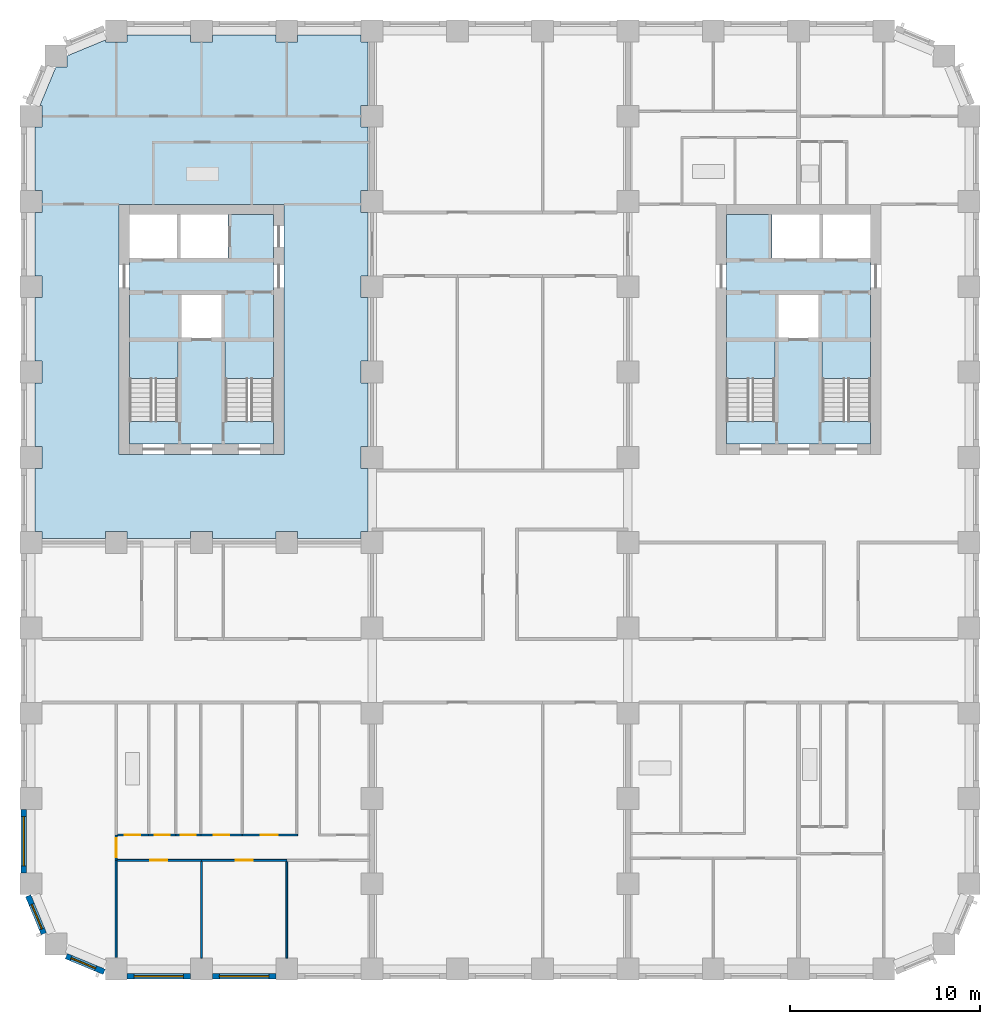
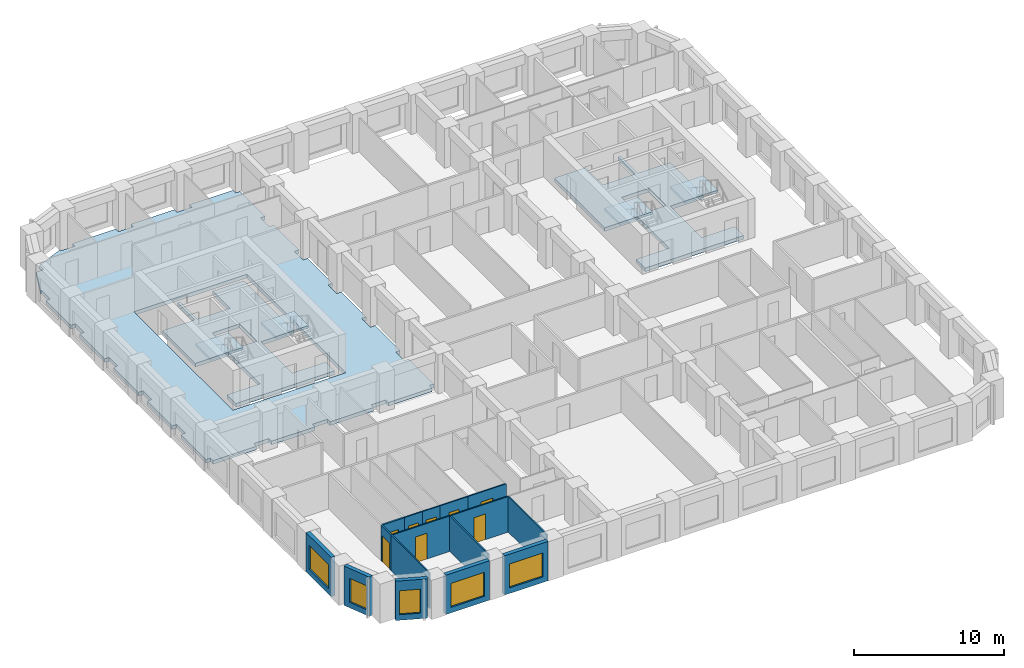
# One storey, part 2 of 13: 16 walls, 8 doors, 7 slabs, 5 windows, 13 openings, 4 elements without a shape of their own.
"""IFC4 building model written with IfcOpenShell, lengths in metres."""

from ifc_helpers import new_model, si_unit, direction, frame, frame_2d, origin, place, context, subcontext, project, spatial, polyline, rectangle, outline, extrude, material, layer, layer_set, type_object, element, fill, aggregate, save


model = new_model("IFC4")

# Units and contexts
model_context = context("Model", 3, precision=1e-05, world=origin(), true_north=direction((0.0, 1.0)))
body_context = subcontext(model_context, "Body", "Model", "MODEL_VIEW")
ifc_project = project(units=[si_unit("LENGTHUNIT", "METRE"), si_unit("AREAUNIT", "SQUARE_METRE"), si_unit("VOLUMEUNIT", "CUBIC_METRE"), si_unit("PLANEANGLEUNIT", "RADIAN"), si_unit("MASSUNIT", "GRAM", prefix="KILO")], contexts=[model_context])

# Site, building, storey
site_placement = place(None, origin())
site = spatial("IfcSite", under=ifc_project, at=site_placement, CompositionType="ELEMENT")
building_placement = place(site_placement, origin())
building = spatial("IfcBuilding", under=site, at=building_placement, Name="Girih Gate Residences", CompositionType="ELEMENT")
storey_placement = place(building_placement, frame((0.0, 0.0, 105.60009765625)))
storey = spatial("IfcBuildingStorey", under=building, at=storey_placement, Name="L29", CompositionType="ELEMENT", Elevation=105.60009765625)

# Slabs
ifc_material_1 = material(Name="Concrete C40/50", Category="concrete")
ifc_layer_1 = layer(ifc_material_1, 0.300048828125)
ifc_layer_set_1 = layer_set([ifc_layer_1], Name="Core floor slab 300")
slab_type_1 = type_object("IfcSlabType", Name="Core floor slab 300", PredefinedType="FLOOR", material=ifc_layer_set_1)
slab_1_placement = place(storey_placement, frame((0.0, 0.0, -0.300048828125)))
element("IfcSlab", 1, at=slab_1_placement, inside=storey, type_object=slab_type_1, Name="L29 W core floor", PredefinedType="FLOOR", context=body_context, shape_type="SweptSolid", body=[
    extrude(outline(polyline([(12.800048828125, 27.699951171875), (5.199951171875, 27.699951171875), (5.199951171875, 28.900634765625), (7.75, 28.900634765625), (7.75, 33.10009765625), (5.199951171875, 33.10009765625), (5.199951171875, 37.5), (7.699951171875, 37.5), (7.699951171875, 39.800048828125), (7.89990234375, 39.800048828125), (7.89990234375, 37.5), (10.39990234375, 37.5), (10.39990234375, 39.800048828125), (12.800048828125, 39.800048828125), (12.800048828125, 33.10009765625), (10.25, 33.10009765625), (10.25, 28.900634765625), (12.800048828125, 28.900634765625), (12.800048828125, 27.699951171875)]), holes=[polyline([(7.949951171875, 33.300048828125), (10.050048828125, 33.300048828125), (10.050048828125, 35.60009765625), (7.949951171875, 35.60009765625), (7.949951171875, 33.300048828125)])]), origin(), (0.0, 0.0, 1.0), 0.300048828125),
])
slab_2_placement = place(storey_placement, frame((0.0, 0.0, -0.300048828125)))
element("IfcSlab", 2, at=slab_2_placement, inside=storey, type_object=slab_type_1, Name="L29 E core floor", PredefinedType="FLOOR", context=body_context, shape_type="SweptSolid", body=[
    extrude(outline(polyline([(44.300048828125, 27.699951171875), (36.699951171875, 27.699951171875), (36.699951171875, 28.900634765625), (39.25, 28.900634765625), (39.25, 33.10009765625), (36.699951171875, 33.10009765625), (36.699951171875, 39.800048828125), (39.10009765625, 39.800048828125), (39.10009765625, 37.5), (41.60009765625, 37.5), (41.60009765625, 39.800048828125), (41.800048828125, 39.800048828125), (41.800048828125, 37.5), (44.300048828125, 37.5), (44.300048828125, 33.10009765625), (41.75, 33.10009765625), (41.75, 28.900634765625), (44.300048828125, 28.900634765625), (44.300048828125, 27.699951171875)]), holes=[polyline([(39.449951171875, 33.300048828125), (41.550048828125, 33.300048828125), (41.550048828125, 35.60009765625), (39.449951171875, 35.60009765625), (39.449951171875, 33.300048828125)])]), origin(), (0.0, 0.0, 1.0), 0.300048828125),
])
ifc_layer_2 = layer(ifc_material_1, 0.300048828125)
ifc_layer_set_2 = layer_set([ifc_layer_2], Name="Floor slab PT 300 Concrete C40/50")
slab_type_2 = type_object("IfcSlabType", Name="Floor slab PT 300 Concrete C40/50", PredefinedType="FLOOR", material=ifc_layer_set_2)
slab_3_placement = place(storey_placement, frame((0.0, 0.0, -0.300048828125)))
element("IfcSlab", 3, at=slab_3_placement, inside=storey, type_object=slab_type_2, Name="Floor slab L29 3", PredefinedType="FLOOR", context=body_context, shape_type="SweptSolid", body=[
    extrude(outline(polyline([(0.22509765625, 26.425048828125), (0.22509765625, 23.074951171875), (0.574951171875, 23.074951171875), (0.574951171875, 22.72509765625), (3.925048828125, 22.72509765625), (3.925048828125, 23.074951171875), (5.074951171875, 23.074951171875), (5.074951171875, 22.72509765625), (8.425048828125, 22.72509765625), (8.425048828125, 23.074951171875), (9.574951171875, 23.074951171875), (9.574951171875, 22.72509765625), (12.925048828125, 22.72509765625), (12.925048828125, 23.074951171875), (14.074951171875, 23.074951171875), (14.074951171875, 22.72509765625), (17.425048828125, 22.72509765625), (17.425048828125, 23.074951171875), (17.77490234375, 23.074951171875), (17.77490234375, 26.425048828125), (17.425048828125, 26.425048828125), (17.425048828125, 27.574951171875), (17.77490234375, 27.574951171875), (17.77490234375, 30.925048828125), (17.425048828125, 30.925048828125), (17.425048828125, 32.074951171875), (17.77490234375, 32.074951171875), (17.77490234375, 35.425048828125), (17.425048828125, 35.425048828125), (17.425048828125, 36.574951171875), (17.77490234375, 36.574951171875), (17.77490234375, 39.925048828125), (17.425048828125, 39.925048828125), (17.425048828125, 41.074951171875), (17.77490234375, 41.074951171875), (17.77490234375, 44.425048828125), (17.425048828125, 44.425048828125), (17.425048828125, 45.574951171875), (17.77490234375, 45.574951171875), (17.77490234375, 48.925048828125), (17.425048828125, 48.925048828125), (17.425048828125, 49.27490234375), (14.074951171875, 49.27490234375), (14.074951171875, 48.925048828125), (12.925048828125, 48.925048828125), (12.925048828125, 49.27490234375), (9.574951171875, 49.27490234375), (9.574951171875, 48.925048828125), (8.425048828125, 48.925048828125), (8.425048828125, 49.27490234375), (5.074951171875, 49.27490234375), (5.074951171875, 48.925048828125), (3.925048828125, 48.925048828125), (3.925048828125, 49.018310546875), (1.89306640625, 48.176513671875), (1.89306640625, 47.60693359375), (1.323486328125, 47.60693359375), (0.481689453125, 45.574951171875), (0.574951171875, 45.574951171875), (0.574951171875, 44.425048828125), (0.22509765625, 44.425048828125), (0.22509765625, 41.074951171875), (0.574951171875, 41.074951171875), (0.574951171875, 39.925048828125), (0.22509765625, 39.925048828125), (0.22509765625, 36.574951171875), (0.574951171875, 36.574951171875), (0.574951171875, 35.425048828125), (0.22509765625, 35.425048828125), (0.22509765625, 32.074951171875), (0.574951171875, 32.074951171875), (0.574951171875, 30.925048828125), (0.22509765625, 30.925048828125), (0.22509765625, 27.574951171875), (0.574951171875, 27.574951171875), (0.574951171875, 26.425048828125), (0.22509765625, 26.425048828125)]), holes=[polyline([(13.35009765625, 40.35009765625), (13.35009765625, 27.14990234375), (4.64990234375, 27.14990234375), (4.64990234375, 40.35009765625), (13.35009765625, 40.35009765625)])]), origin(), (0.0, 0.0, 1.0), 0.300048828125),
])

# Stair, slab
stair_type = type_object("IfcStairType", Name="Exit stair", PredefinedType="HALF_TURN_STAIR", material=ifc_material_1)
stair_1_placement = place(storey_placement, origin())
stair_1 = element("IfcStair", 4, at=stair_1_placement, inside=storey, type_object=stair_type, Name="L29 Exit Stair ST-W1", PredefinedType="HALF_TURN_STAIR")
ifc_layer_3 = layer(ifc_material_1, 0.199951171875)
ifc_layer_set_3 = layer_set([ifc_layer_3], Name="Stair landing 200")
slab_type_3 = type_object("IfcSlabType", Name="Stair landing 200", PredefinedType="LANDING", material=ifc_layer_set_3)
slab_4_placement = place(storey_placement, frame((0.0, 0.0, 1.39990234375)))
slab_4 = element("IfcSlab", 5, at=slab_4_placement, type_object=slab_type_3, Name="ST-W1 landing 1", PredefinedType="LANDING", context=body_context, shape_type="SweptSolid", body=[
    extrude(outline(polyline([(7.75, 31.14990234375), (7.75, 33.10009765625), (5.199951171875, 33.10009765625), (5.199951171875, 31.14990234375), (7.75, 31.14990234375)])), origin(), (0.0, 0.0, 1.0), 0.199951171875),
])
aggregate(stair_1, [slab_4])

stair_2_placement = place(storey_placement, origin())
stair_2 = element("IfcStair", 6, at=stair_2_placement, inside=storey, type_object=stair_type, Name="L29 Exit Stair ST-W2", PredefinedType="HALF_TURN_STAIR")
slab_5_placement = place(storey_placement, frame((0.0, 0.0, 1.39990234375)))
slab_5 = element("IfcSlab", 7, at=slab_5_placement, type_object=slab_type_3, Name="ST-W2 landing 1", PredefinedType="LANDING", context=body_context, shape_type="SweptSolid", body=[
    extrude(outline(polyline([(12.800048828125, 31.14990234375), (12.800048828125, 33.10009765625), (10.25, 33.10009765625), (10.25, 31.14990234375), (12.800048828125, 31.14990234375)])), origin(), (0.0, 0.0, 1.0), 0.199951171875),
])
aggregate(stair_2, [slab_5])

stair_3_placement = place(storey_placement, origin())
stair_3 = element("IfcStair", 8, at=stair_3_placement, inside=storey, type_object=stair_type, Name="L29 Exit Stair ST-E1", PredefinedType="HALF_TURN_STAIR")
slab_6_placement = place(storey_placement, frame((0.0, 0.0, 1.39990234375)))
slab_6 = element("IfcSlab", 9, at=slab_6_placement, type_object=slab_type_3, Name="ST-E1 landing 1", PredefinedType="LANDING", context=body_context, shape_type="SweptSolid", body=[
    extrude(outline(polyline([(44.300048828125, 31.14990234375), (44.300048828125, 33.10009765625), (41.75, 33.10009765625), (41.75, 31.14990234375), (44.300048828125, 31.14990234375)])), origin(), (0.0, 0.0, 1.0), 0.199951171875),
])
aggregate(stair_3, [slab_6])

stair_4_placement = place(storey_placement, origin())
stair_4 = element("IfcStair", 10, at=stair_4_placement, inside=storey, type_object=stair_type, Name="L29 Exit Stair ST-E2", PredefinedType="HALF_TURN_STAIR")
slab_7_placement = place(storey_placement, frame((0.0, 0.0, 1.39990234375)))
slab_7 = element("IfcSlab", 11, at=slab_7_placement, type_object=slab_type_3, Name="ST-E2 landing 1", PredefinedType="LANDING", context=body_context, shape_type="SweptSolid", body=[
    extrude(outline(polyline([(39.25, 31.14990234375), (39.25, 33.10009765625), (36.699951171875, 33.10009765625), (36.699951171875, 31.14990234375), (39.25, 31.14990234375)])), origin(), (0.0, 0.0, 1.0), 0.199951171875),
])
aggregate(stair_4, [slab_7])

# Wall
ifc_material_2 = material(Name="Gypsum board on steel studs", Category="steel")
ifc_layer_4 = layer(ifc_material_2, 0.10009765625)
ifc_layer_set_4 = layer_set([ifc_layer_4], Name="Partition 100 mm")
wall_type_1 = type_object("IfcWallType", Name="Partition 100 mm", PredefinedType="PARTITIONING", material=ifc_layer_set_4)
wall_1_placement = place(storey_placement, frame((9.0, 0.574951171875, 0.0), z_axis=(0.0, 0.0, 1.0), x_axis=(0.0, 1.0, 0.0)))
element("IfcWall", 12, at=wall_1_placement, inside=storey, type_object=wall_type_1, Name="L29 partition", PredefinedType="PARTITIONING", context=body_context, shape_type="SweptSolid", body=[
    extrude(rectangle(XDim=5.110107421875, YDim=0.10009765625, at=frame_2d((2.55517578125, 0.0))), origin(), (0.0, 0.0, 1.0), 2.89990234375),
])

# Wall, opening, door
wall_2_placement = place(storey_placement, frame((9.0, 5.735107421875, 0.0), z_axis=(0.0, 0.0, 1.0), x_axis=(-1.0, 0.0, 0.0)))
wall_2 = element("IfcWall", 13, at=wall_2_placement, inside=storey, type_object=wall_type_1, Name="L29 partition", PredefinedType="PARTITIONING", context=body_context, shape_type="SweptSolid", body=[
    extrude(rectangle(XDim=4.449951171875, YDim=0.10009765625, at=frame_2d((2.22509765625, 0.0))), origin(), (0.0, 0.0, 1.0), 2.89990234375),
])
opening_1_placement = place(wall_2_placement, frame((1.800048828125, 0.0, 0.0)))
opening_1 = element("IfcOpeningElement", 14, at=opening_1_placement, cuts=wall_2, Name="Opening A29-002", PredefinedType="OPENING", context=body_context, shape_type="SweptSolid", body=[
    extrude(rectangle(XDim=0.89990234375, YDim=2.10009765625, at=frame_2d((0.449951171875, 1.050048828125))), frame((0.0, 0.06005859375, 0.0), z_axis=(0.0, -1.0, 0.0), x_axis=(1.0, 0.0, 0.0)), (0.0, 0.0, 1.0), 0.1201171875),
])
ifc_material_3 = material(Name="Timber", Category="wood")
door_type_1 = type_object("IfcDoorType", Name="Bedroom door 900x2100", OperationType="NOTDEFINED", PredefinedType="DOOR", material=ifc_material_3)
door_1_placement = place(opening_1_placement, origin())
door_1 = element("IfcDoor", 15, at=door_1_placement, inside=storey, type_object=door_type_1, Name="Door A29-002", OperationType="SINGLE_SWING_RIGHT", OverallHeight=2.10009765625, OverallWidth=0.89990234375, PredefinedType="DOOR", context=body_context, shape_type="SweptSolid", body=[
    extrude(rectangle(XDim=0.89990234375, YDim=2.10009765625, at=frame_2d((0.449951171875, 1.050048828125))), frame((0.0, 0.02490234375, 0.0), z_axis=(0.0, -1.0, 0.0), x_axis=(1.0, 0.0, 0.0)), (0.0, 0.0, 1.0), 0.050048828125),
])
fill(opening_1, door_1)

# Walls
wall_3_placement = place(storey_placement, frame((4.5, 0.622314453125, 0.0), z_axis=(0.0, 0.0, 1.0), x_axis=(0.0, 1.0, 0.0)))
element("IfcWall", 16, at=wall_3_placement, inside=storey, type_object=wall_type_1, Name="L29 partition", PredefinedType="PARTITIONING", context=body_context, shape_type="SweptSolid", body=[
    extrude(rectangle(XDim=5.11279296875, YDim=0.10009765625, at=frame_2d((2.556396484375, 0.0))), origin(), (0.0, 0.0, 1.0), 2.89990234375),
])
wall_4_placement = place(storey_placement, frame((13.5, 0.574951171875, 0.0), z_axis=(0.0, 0.0, 1.0), x_axis=(0.0, 1.0, 0.0)))
element("IfcWall", 17, at=wall_4_placement, inside=storey, type_object=wall_type_1, Name="L29 partition", PredefinedType="PARTITIONING", context=body_context, shape_type="SweptSolid", body=[
    extrude(rectangle(XDim=5.110107421875, YDim=0.10009765625, at=frame_2d((2.55517578125, 0.0))), origin(), (0.0, 0.0, 1.0), 2.89990234375),
])

# Wall, opening, door
wall_5_placement = place(storey_placement, frame((13.5, 5.735107421875, 0.0), z_axis=(0.0, 0.0, 1.0), x_axis=(-1.0, 0.0, 0.0)))
wall_5 = element("IfcWall", 18, at=wall_5_placement, inside=storey, type_object=wall_type_1, Name="L29 partition", PredefinedType="PARTITIONING", context=body_context, shape_type="SweptSolid", body=[
    extrude(rectangle(XDim=4.5, YDim=0.10009765625, at=frame_2d((2.25, 0.0))), origin(), (0.0, 0.0, 1.0), 2.89990234375),
])
opening_2_placement = place(wall_5_placement, frame((1.800048828125, 0.0, 0.0)))
opening_2 = element("IfcOpeningElement", 19, at=opening_2_placement, cuts=wall_5, Name="Opening A29-003", PredefinedType="OPENING", context=body_context, shape_type="SweptSolid", body=[
    extrude(rectangle(XDim=0.89990234375, YDim=2.10009765625, at=frame_2d((0.449951171875, 1.050048828125))), frame((0.0, 0.06005859375, 0.0), z_axis=(0.0, -1.0, 0.0), x_axis=(1.0, 0.0, 0.0)), (0.0, 0.0, 1.0), 0.1201171875),
])
door_2_placement = place(opening_2_placement, origin())
door_2 = element("IfcDoor", 20, at=door_2_placement, inside=storey, type_object=door_type_1, Name="Door A29-003", OperationType="SINGLE_SWING_LEFT", OverallHeight=2.10009765625, OverallWidth=0.89990234375, PredefinedType="DOOR", context=body_context, shape_type="SweptSolid", body=[
    extrude(rectangle(XDim=0.89990234375, YDim=2.10009765625, at=frame_2d((0.449951171875, 1.050048828125))), frame((0.0, 0.02490234375, 0.0), z_axis=(0.0, -1.0, 0.0), x_axis=(1.0, 0.0, 0.0)), (0.0, 0.0, 1.0), 0.050048828125),
])
fill(opening_2, door_2)

wall_6_placement = place(storey_placement, frame((8.96533203125, 7.074951171875, 0.0), z_axis=(0.0, 0.0, 1.0), x_axis=(1.0, 0.0, 0.0)))
wall_6 = element("IfcWall", 21, at=wall_6_placement, inside=storey, type_object=wall_type_1, Name="L29 partition", PredefinedType="PARTITIONING", context=body_context, shape_type="SweptSolid", body=[
    extrude(rectangle(XDim=2.179931640625, YDim=0.10009765625, at=frame_2d((1.08984375, 0.0))), origin(), (0.0, 0.0, 1.0), 2.89990234375),
])
opening_3_placement = place(wall_6_placement, frame((0.68994140625, 0.0, 0.0)))
opening_3 = element("IfcOpeningElement", 22, at=opening_3_placement, cuts=wall_6, Name="Opening A29-005", PredefinedType="OPENING", context=body_context, shape_type="SweptSolid", body=[
    extrude(rectangle(XDim=0.800048828125, YDim=2.10009765625, at=frame_2d((0.39990234375, 1.050048828125))), frame((0.0, 0.06005859375, 0.0), z_axis=(0.0, -1.0, 0.0), x_axis=(1.0, 0.0, 0.0)), (0.0, 0.0, 1.0), 0.1201171875),
])
door_type_2 = type_object("IfcDoorType", Name="Store door 800x2100", OperationType="NOTDEFINED", PredefinedType="DOOR", material=ifc_material_3)
door_3_placement = place(opening_3_placement, origin())
door_3 = element("IfcDoor", 23, at=door_3_placement, inside=storey, type_object=door_type_2, Name="Door A29-005", OperationType="SINGLE_SWING_RIGHT", OverallHeight=2.10009765625, OverallWidth=0.800048828125, PredefinedType="DOOR", context=body_context, shape_type="SweptSolid", body=[
    extrude(rectangle(XDim=0.800048828125, YDim=2.10009765625, at=frame_2d((0.39990234375, 1.050048828125))), frame((0.0, 0.02490234375, 0.0), z_axis=(0.0, -1.0, 0.0), x_axis=(1.0, 0.0, 0.0)), (0.0, 0.0, 1.0), 0.050048828125),
])
fill(opening_3, door_3)

wall_7_placement = place(storey_placement, frame((4.5, 5.735107421875, 0.0), z_axis=(0.0, 0.0, 1.0), x_axis=(0.0, 1.0, 0.0)))
wall_7 = element("IfcWall", 24, at=wall_7_placement, inside=storey, type_object=wall_type_1, Name="L29 partition", PredefinedType="PARTITIONING", context=body_context, shape_type="SweptSolid", body=[
    extrude(rectangle(XDim=1.33984375, YDim=0.10009765625, at=frame_2d((0.669921875, 0.0))), origin(), (0.0, 0.0, 1.0), 2.89990234375),
])
opening_4_placement = place(wall_7_placement, frame((0.169921875, 0.0, 0.0)))
opening_4 = element("IfcOpeningElement", 25, at=opening_4_placement, cuts=wall_7, Name="Opening A29-007", PredefinedType="OPENING", context=body_context, shape_type="SweptSolid", body=[
    extrude(rectangle(XDim=1.0, YDim=2.10009765625, at=frame_2d((0.5, 1.050048828125))), frame((0.0, 0.06005859375, 0.0), z_axis=(0.0, -1.0, 0.0), x_axis=(1.0, 0.0, 0.0)), (0.0, 0.0, 1.0), 0.1201171875),
])
door_type_3 = type_object("IfcDoorType", Name="Living room door 1000x2100", OperationType="NOTDEFINED", PredefinedType="DOOR", material=ifc_material_3)
door_4_placement = place(opening_4_placement, origin())
door_4 = element("IfcDoor", 26, at=door_4_placement, inside=storey, type_object=door_type_3, Name="Door A29-007", OperationType="SINGLE_SWING_RIGHT", OverallHeight=2.10009765625, OverallWidth=1.0, PredefinedType="DOOR", context=body_context, shape_type="SweptSolid", body=[
    extrude(rectangle(XDim=1.0, YDim=2.10009765625, at=frame_2d((0.5, 1.050048828125))), frame((0.0, 0.02490234375, 0.0), z_axis=(0.0, -1.0, 0.0), x_axis=(1.0, 0.0, 0.0)), (0.0, 0.0, 1.0), 0.050048828125),
])
fill(opening_4, door_4)

wall_8_placement = place(storey_placement, frame((7.64697265625, 7.074951171875, 0.0), z_axis=(0.0, 0.0, 1.0), x_axis=(1.0, 0.0, 0.0)))
wall_8 = element("IfcWall", 27, at=wall_8_placement, inside=storey, type_object=wall_type_1, Name="L29 partition", PredefinedType="PARTITIONING", context=body_context, shape_type="SweptSolid", body=[
    extrude(rectangle(XDim=1.318359375, YDim=0.10009765625, at=frame_2d((0.6591796875, 0.0))), origin(), (0.0, 0.0, 1.0), 2.89990234375),
])
opening_5_placement = place(wall_8_placement, frame((0.25927734375, 0.0, 0.0)))
opening_5 = element("IfcOpeningElement", 28, at=opening_5_placement, cuts=wall_8, Name="Opening A29-008", PredefinedType="OPENING", context=body_context, shape_type="SweptSolid", body=[
    extrude(rectangle(XDim=0.800048828125, YDim=2.10009765625, at=frame_2d((0.39990234375, 1.050048828125))), frame((0.0, 0.06005859375, 0.0), z_axis=(0.0, -1.0, 0.0), x_axis=(1.0, 0.0, 0.0)), (0.0, 0.0, 1.0), 0.1201171875),
])
door_5_placement = place(opening_5_placement, origin())
door_5 = element("IfcDoor", 29, at=door_5_placement, inside=storey, type_object=door_type_2, Name="Door A29-008", OperationType="SINGLE_SWING_RIGHT", OverallHeight=2.10009765625, OverallWidth=0.800048828125, PredefinedType="DOOR", context=body_context, shape_type="SweptSolid", body=[
    extrude(rectangle(XDim=0.800048828125, YDim=2.10009765625, at=frame_2d((0.39990234375, 1.050048828125))), frame((0.0, 0.02490234375, 0.0), z_axis=(0.0, -1.0, 0.0), x_axis=(1.0, 0.0, 0.0)), (0.0, 0.0, 1.0), 0.050048828125),
])
fill(opening_5, door_5)

wall_9_placement = place(storey_placement, frame((11.145263671875, 7.074951171875, 0.0), z_axis=(0.0, 0.0, 1.0), x_axis=(1.0, 0.0, 0.0)))
wall_9 = element("IfcWall", 30, at=wall_9_placement, inside=storey, type_object=wall_type_1, Name="L29 partition", PredefinedType="PARTITIONING", context=body_context, shape_type="SweptSolid", body=[
    extrude(rectangle(XDim=2.9296875, YDim=0.10009765625, at=frame_2d((1.46484375, 0.0))), origin(), (0.0, 0.0, 1.0), 2.89990234375),
])
opening_6_placement = place(wall_9_placement, frame((0.989990234375, 0.0, 0.0)))
opening_6 = element("IfcOpeningElement", 31, at=opening_6_placement, cuts=wall_9, Name="Opening A29-009", PredefinedType="OPENING", context=body_context, shape_type="SweptSolid", body=[
    extrude(rectangle(XDim=0.89990234375, YDim=2.10009765625, at=frame_2d((0.449951171875, 1.050048828125))), frame((0.0, 0.06005859375, 0.0), z_axis=(0.0, -1.0, 0.0), x_axis=(1.0, 0.0, 0.0)), (0.0, 0.0, 1.0), 0.1201171875),
])
door_6_placement = place(opening_6_placement, origin())
door_6 = element("IfcDoor", 32, at=door_6_placement, inside=storey, type_object=door_type_1, Name="Door A29-009", OperationType="SINGLE_SWING_LEFT", OverallHeight=2.10009765625, OverallWidth=0.89990234375, PredefinedType="DOOR", context=body_context, shape_type="SweptSolid", body=[
    extrude(rectangle(XDim=0.89990234375, YDim=2.10009765625, at=frame_2d((0.449951171875, 1.050048828125))), frame((0.0, 0.02490234375, 0.0), z_axis=(0.0, -1.0, 0.0), x_axis=(1.0, 0.0, 0.0)), (0.0, 0.0, 1.0), 0.050048828125),
])
fill(opening_6, door_6)

wall_10_placement = place(storey_placement, frame((6.21728515625, 7.074951171875, 0.0), z_axis=(0.0, 0.0, 1.0), x_axis=(1.0, 0.0, 0.0)))
wall_10 = element("IfcWall", 33, at=wall_10_placement, inside=storey, type_object=wall_type_1, Name="L29 partition", PredefinedType="PARTITIONING", context=body_context, shape_type="SweptSolid", body=[
    extrude(rectangle(XDim=1.4296875, YDim=0.10009765625, at=frame_2d((0.71484375, 0.0))), origin(), (0.0, 0.0, 1.0), 2.89990234375),
])
opening_7_placement = place(wall_10_placement, frame((0.314697265625, 0.0, 0.0)))
opening_7 = element("IfcOpeningElement", 34, at=opening_7_placement, cuts=wall_10, Name="Opening A29-010", PredefinedType="OPENING", context=body_context, shape_type="SweptSolid", body=[
    extrude(rectangle(XDim=0.800048828125, YDim=2.10009765625, at=frame_2d((0.39990234375, 1.050048828125))), frame((0.0, 0.06005859375, 0.0), z_axis=(0.0, -1.0, 0.0), x_axis=(1.0, 0.0, 0.0)), (0.0, 0.0, 1.0), 0.1201171875),
])
door_7_placement = place(opening_7_placement, origin())
door_7 = element("IfcDoor", 35, at=door_7_placement, inside=storey, type_object=door_type_2, Name="Door A29-010", OperationType="SINGLE_SWING_RIGHT", OverallHeight=2.10009765625, OverallWidth=0.800048828125, PredefinedType="DOOR", context=body_context, shape_type="SweptSolid", body=[
    extrude(rectangle(XDim=0.800048828125, YDim=2.10009765625, at=frame_2d((0.39990234375, 1.050048828125))), frame((0.0, 0.02490234375, 0.0), z_axis=(0.0, -1.0, 0.0), x_axis=(1.0, 0.0, 0.0)), (0.0, 0.0, 1.0), 0.050048828125),
])
fill(opening_7, door_7)

# Wall, opening, window
ifc_material_4 = material(Name="Precast concrete C50/60", Category="concrete")
ifc_layer_5 = layer(ifc_material_4, 0.080078125, Name="Outer leaf")
ifc_material_5 = material(Name="Rigid PIR insulation")
ifc_layer_6 = layer(ifc_material_5, 0.14990234375, Name="Insulation")
ifc_material_6 = material(Name="Precast concrete C40/50", Category="concrete")
ifc_layer_7 = layer(ifc_material_6, 0.070068359375, Name="Inner leaf")
ifc_layer_set_5 = layer_set([ifc_layer_5, ifc_layer_6, ifc_layer_7], Name="Precast concrete C50/60 external wall 300")
wall_type_2 = type_object("IfcWallType", Name="Precast concrete C50/60 external wall 300", PredefinedType="SOLIDWALL", material=ifc_layer_set_5)
wall_11_placement = place(storey_placement, frame((0.68408203125, 1.86865234375, 0.0), z_axis=(0.0, 0.0, 1.0), x_axis=(-0.382723818695, 0.923862802911, 0.0)))
wall_11 = element("IfcWall", 36, at=wall_11_placement, inside=storey, type_object=wall_type_2, Name="External wall SW0000_0045.0", PredefinedType="SOLIDWALL", context=body_context, shape_type="SweptSolid", body=[
    extrude(rectangle(XDim=2.163818359375, YDim=0.300048828125, at=frame_2d((1.08203125, 0.0))), origin(), (0.0, 0.0, 1.0), 3.199951171875),
])
opening_8_placement = place(wall_11_placement, frame((0.270751953125, 0.0, 0.449951171875)))
opening_8 = element("IfcOpeningElement", 37, at=opening_8_placement, cuts=wall_11, Name="Opening W-2D", PredefinedType="OPENING", context=body_context, shape_type="SweptSolid", body=[
    extrude(rectangle(XDim=1.39990234375, YDim=1.949951171875, at=frame_2d((0.699951171875, 0.97509765625))), frame((0.0, 0.159912109375, 0.0), z_axis=(0.0, -1.0, 0.0), x_axis=(1.0, 0.0, 0.0)), (0.0, 0.0, 1.0), 0.320068359375),
])
ifc_material_7 = material(Name="Double glazing in aluminium frame", Category="aluminium")
window_type_1 = type_object("IfcWindowType", Name="Window W-2D 1400x1950", PartitioningType="SINGLE_PANEL", PredefinedType="WINDOW", material=ifc_material_7)
window_1_placement = place(opening_8_placement, origin())
window_1 = element("IfcWindow", 38, at=window_1_placement, inside=storey, type_object=window_type_1, Name="Window W-2D SW0000_0045.0", OverallHeight=1.949951171875, OverallWidth=1.39990234375, PartitioningType="SINGLE_PANEL", PredefinedType="WINDOW", context=body_context, shape_type="SweptSolid", body=[
    extrude(rectangle(XDim=1.39990234375, YDim=1.949951171875, at=frame_2d((0.699951171875, 0.97509765625))), frame((0.0, 0.030029296875, 0.0), z_axis=(0.0, -1.0, 0.0), x_axis=(1.0, 0.0, 0.0)), (0.0, 0.0, 1.0), 0.06005859375),
])
fill(opening_8, window_1)

wall_12_placement = place(storey_placement, frame((3.86767578125, -0.14404296875, 0.0), z_axis=(0.0, 0.0, 1.0), x_axis=(-0.923862802911, 0.382723818695, 0.0)))
wall_12 = element("IfcWall", 39, at=wall_12_placement, inside=storey, type_object=wall_type_2, Name="External wall SW0013_0013.0", PredefinedType="SOLIDWALL", context=body_context, shape_type="SweptSolid", body=[
    extrude(rectangle(XDim=2.163818359375, YDim=0.300048828125, at=frame_2d((1.08203125, 0.0))), origin(), (0.0, 0.0, 1.0), 3.199951171875),
])
opening_9_placement = place(wall_12_placement, frame((0.492919921875, 0.0, 0.449951171875)))
opening_9 = element("IfcOpeningElement", 40, at=opening_9_placement, cuts=wall_12, Name="Opening W-2D", PredefinedType="OPENING", context=body_context, shape_type="SweptSolid", body=[
    extrude(rectangle(XDim=1.39990234375, YDim=1.949951171875, at=frame_2d((0.699951171875, 0.97509765625))), frame((0.0, 0.159912109375, 0.0), z_axis=(0.0, -1.0, 0.0), x_axis=(1.0, 0.0, 0.0)), (0.0, 0.0, 1.0), 0.320068359375),
])
window_2_placement = place(opening_9_placement, origin())
window_2 = element("IfcWindow", 41, at=window_2_placement, inside=storey, type_object=window_type_1, Name="Window W-2D SW0013_0013.0", OverallHeight=1.949951171875, OverallWidth=1.39990234375, PartitioningType="SINGLE_PANEL", PredefinedType="WINDOW", context=body_context, shape_type="SweptSolid", body=[
    extrude(rectangle(XDim=1.39990234375, YDim=1.949951171875, at=frame_2d((0.699951171875, 0.97509765625))), frame((0.0, 0.030029296875, 0.0), z_axis=(0.0, -1.0, 0.0), x_axis=(1.0, 0.0, 0.0)), (0.0, 0.0, 1.0), 0.06005859375),
])
fill(opening_9, window_2)

wall_13_placement = place(storey_placement, frame((8.425048828125, -0.375, 0.0), z_axis=(0.0, 0.0, 1.0), x_axis=(-1.0, 0.0, 0.0)))
wall_13 = element("IfcWall", 42, at=wall_13_placement, inside=storey, type_object=wall_type_2, Name="External wall S0045_0000.0", PredefinedType="SOLIDWALL", context=body_context, shape_type="SweptSolid", body=[
    extrude(rectangle(XDim=3.35009765625, YDim=0.300048828125, at=frame_2d((1.675048828125, 0.0))), origin(), (0.0, 0.0, 1.0), 3.199951171875),
])
opening_10_placement = place(wall_13_placement, frame((0.375, 0.0, 0.449951171875)))
opening_10 = element("IfcOpeningElement", 43, at=opening_10_placement, cuts=wall_13, Name="Opening W-1A", PredefinedType="OPENING", context=body_context, shape_type="SweptSolid", body=[
    extrude(rectangle(XDim=2.60009765625, YDim=1.949951171875, at=frame_2d((1.300048828125, 0.97509765625))), frame((0.0, 0.159912109375, 0.0), z_axis=(0.0, -1.0, 0.0), x_axis=(1.0, 0.0, 0.0)), (0.0, 0.0, 1.0), 0.320068359375),
])
window_type_2 = type_object("IfcWindowType", Name="Window W-1A 2600x1950", PartitioningType="SINGLE_PANEL", PredefinedType="WINDOW", material=ifc_material_7)
window_3_placement = place(opening_10_placement, origin())
window_3 = element("IfcWindow", 44, at=window_3_placement, inside=storey, type_object=window_type_2, Name="Window W-1A S0045_0000.0", OverallHeight=1.949951171875, OverallWidth=2.60009765625, PartitioningType="SINGLE_PANEL", PredefinedType="WINDOW", context=body_context, shape_type="SweptSolid", body=[
    extrude(rectangle(XDim=2.60009765625, YDim=1.949951171875, at=frame_2d((1.300048828125, 0.97509765625))), frame((0.0, 0.030029296875, 0.0), z_axis=(0.0, -1.0, 0.0), x_axis=(1.0, 0.0, 0.0)), (0.0, 0.0, 1.0), 0.06005859375),
])
fill(opening_10, window_3)

wall_14_placement = place(storey_placement, frame((12.925048828125, -0.375, 0.0), z_axis=(0.0, 0.0, 1.0), x_axis=(-1.0, 0.0, 0.0)))
wall_14 = element("IfcWall", 45, at=wall_14_placement, inside=storey, type_object=wall_type_2, Name="External wall S0045_0000.1", PredefinedType="SOLIDWALL", context=body_context, shape_type="SweptSolid", body=[
    extrude(rectangle(XDim=3.35009765625, YDim=0.300048828125, at=frame_2d((1.675048828125, 0.0))), origin(), (0.0, 0.0, 1.0), 3.199951171875),
])
opening_11_placement = place(wall_14_placement, frame((0.375, 0.0, 0.449951171875)))
opening_11 = element("IfcOpeningElement", 46, at=opening_11_placement, cuts=wall_14, Name="Opening W-1A", PredefinedType="OPENING", context=body_context, shape_type="SweptSolid", body=[
    extrude(rectangle(XDim=2.60009765625, YDim=1.949951171875, at=frame_2d((1.300048828125, 0.97509765625))), frame((0.0, 0.159912109375, 0.0), z_axis=(0.0, -1.0, 0.0), x_axis=(1.0, 0.0, 0.0)), (0.0, 0.0, 1.0), 0.320068359375),
])
window_4_placement = place(opening_11_placement, origin())
window_4 = element("IfcWindow", 47, at=window_4_placement, inside=storey, type_object=window_type_2, Name="Window W-1A S0045_0000.1", OverallHeight=1.949951171875, OverallWidth=2.60009765625, PartitioningType="SINGLE_PANEL", PredefinedType="WINDOW", context=body_context, shape_type="SweptSolid", body=[
    extrude(rectangle(XDim=2.60009765625, YDim=1.949951171875, at=frame_2d((1.300048828125, 0.97509765625))), frame((0.0, 0.030029296875, 0.0), z_axis=(0.0, -1.0, 0.0), x_axis=(1.0, 0.0, 0.0)), (0.0, 0.0, 1.0), 0.06005859375),
])
fill(opening_11, window_4)

wall_15_placement = place(storey_placement, frame((-0.375, 5.074951171875, 0.0), z_axis=(0.0, 0.0, 1.0), x_axis=(0.0, 1.0, 0.0)))
wall_15 = element("IfcWall", 48, at=wall_15_placement, inside=storey, type_object=wall_type_2, Name="External wall W0000_0450.8", PredefinedType="SOLIDWALL", context=body_context, shape_type="SweptSolid", body=[
    extrude(rectangle(XDim=3.35009765625, YDim=0.300048828125, at=frame_2d((1.675048828125, 0.0))), origin(), (0.0, 0.0, 1.0), 3.199951171875),
])
opening_12_placement = place(wall_15_placement, frame((0.375, 0.0, 0.449951171875)))
opening_12 = element("IfcOpeningElement", 49, at=opening_12_placement, cuts=wall_15, Name="Opening W-1A", PredefinedType="OPENING", context=body_context, shape_type="SweptSolid", body=[
    extrude(rectangle(XDim=2.60009765625, YDim=1.949951171875, at=frame_2d((1.300048828125, 0.97509765625))), frame((0.0, 0.159912109375, 0.0), z_axis=(0.0, -1.0, 0.0), x_axis=(1.0, 0.0, 0.0)), (0.0, 0.0, 1.0), 0.320068359375),
])
window_5_placement = place(opening_12_placement, origin())
window_5 = element("IfcWindow", 50, at=window_5_placement, inside=storey, type_object=window_type_2, Name="Window W-1A W0000_0450.8", OverallHeight=1.949951171875, OverallWidth=2.60009765625, PartitioningType="SINGLE_PANEL", PredefinedType="WINDOW", context=body_context, shape_type="SweptSolid", body=[
    extrude(rectangle(XDim=2.60009765625, YDim=1.949951171875, at=frame_2d((1.300048828125, 0.97509765625))), frame((0.0, 0.030029296875, 0.0), z_axis=(0.0, -1.0, 0.0), x_axis=(1.0, 0.0, 0.0)), (0.0, 0.0, 1.0), 0.06005859375),
])
fill(opening_12, window_5)

# Wall, opening, door
ifc_layer_8 = layer(ifc_material_2, 0.125)
ifc_layer_set_6 = layer_set([ifc_layer_8], Name="Wet room wall 125 mm")
wall_type_3 = type_object("IfcWallType", Name="Wet room wall 125 mm", PredefinedType="PARTITIONING", material=ifc_layer_set_6)
wall_16_placement = place(storey_placement, frame((4.5625, 7.074951171875, 0.0), z_axis=(0.0, 0.0, 1.0), x_axis=(1.0, 0.0, 0.0)))
wall_16 = element("IfcWall", 51, at=wall_16_placement, inside=storey, type_object=wall_type_3, Name="L29 partition", PredefinedType="PARTITIONING", context=body_context, shape_type="SweptSolid", body=[
    extrude(rectangle(XDim=1.65478515625, YDim=0.125, at=frame_2d((0.827392578125, 0.0))), origin(), (0.0, 0.0, 1.0), 2.89990234375),
])
opening_13_placement = place(wall_16_placement, frame((0.396240234375, 0.0, 0.0)))
opening_13 = element("IfcOpeningElement", 52, at=opening_13_placement, cuts=wall_16, Name="Opening A29-001", PredefinedType="OPENING", context=body_context, shape_type="SweptSolid", body=[
    extrude(rectangle(XDim=0.800048828125, YDim=2.10009765625, at=frame_2d((0.39990234375, 1.050048828125))), frame((0.0, 0.072509765625, 0.0), z_axis=(0.0, -1.0, 0.0), x_axis=(1.0, 0.0, 0.0)), (0.0, 0.0, 1.0), 0.14501953125),
])
door_type_4 = type_object("IfcDoorType", Name="Bathroom door 800x2100", OperationType="NOTDEFINED", PredefinedType="DOOR", material=ifc_material_3)
door_8_placement = place(opening_13_placement, origin())
door_8 = element("IfcDoor", 53, at=door_8_placement, inside=storey, type_object=door_type_4, Name="Door A29-001", OperationType="SINGLE_SWING_LEFT", OverallHeight=2.10009765625, OverallWidth=0.800048828125, PredefinedType="DOOR", context=body_context, shape_type="SweptSolid", body=[
    extrude(rectangle(XDim=0.800048828125, YDim=2.10009765625, at=frame_2d((0.39990234375, 1.050048828125))), frame((0.0, 0.02490234375, 0.0), z_axis=(0.0, -1.0, 0.0), x_axis=(1.0, 0.0, 0.0)), (0.0, 0.0, 1.0), 0.050048828125),
])
fill(opening_13, door_8)

save(model, "model.ifc")
